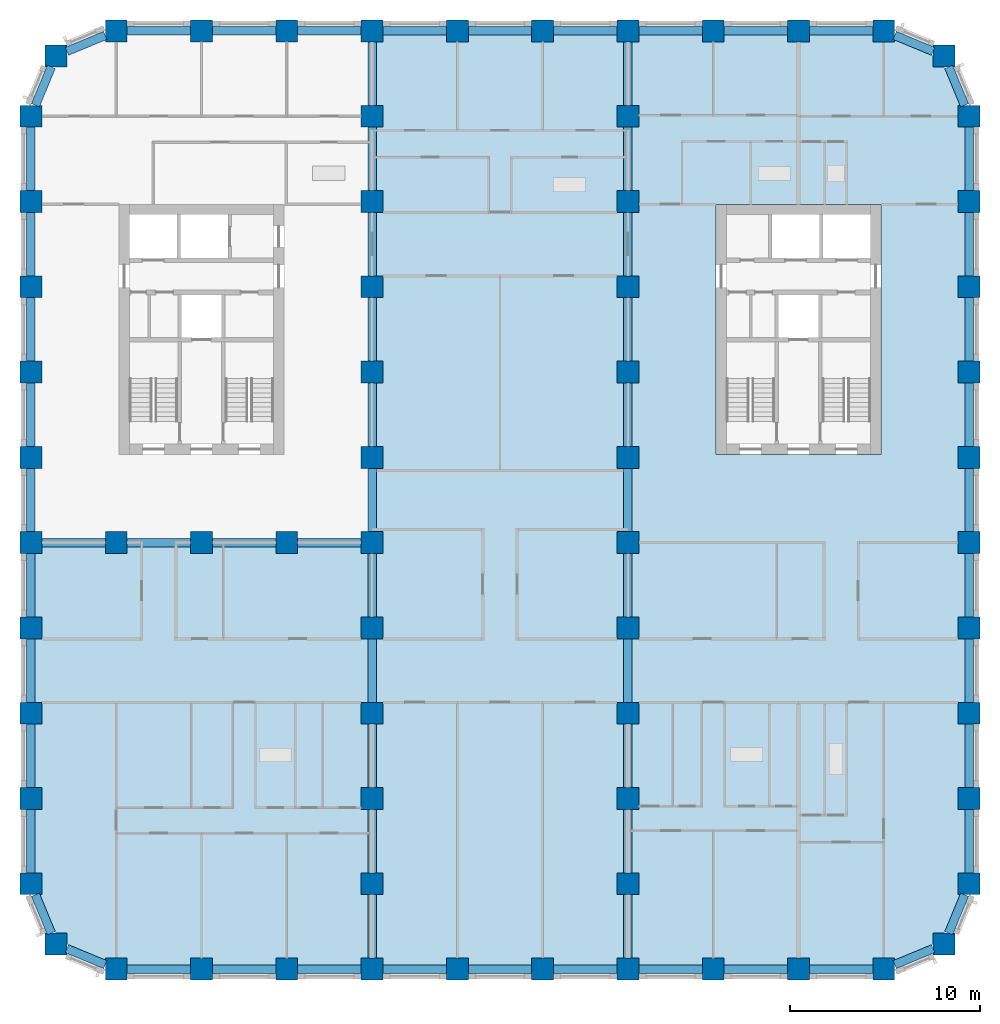
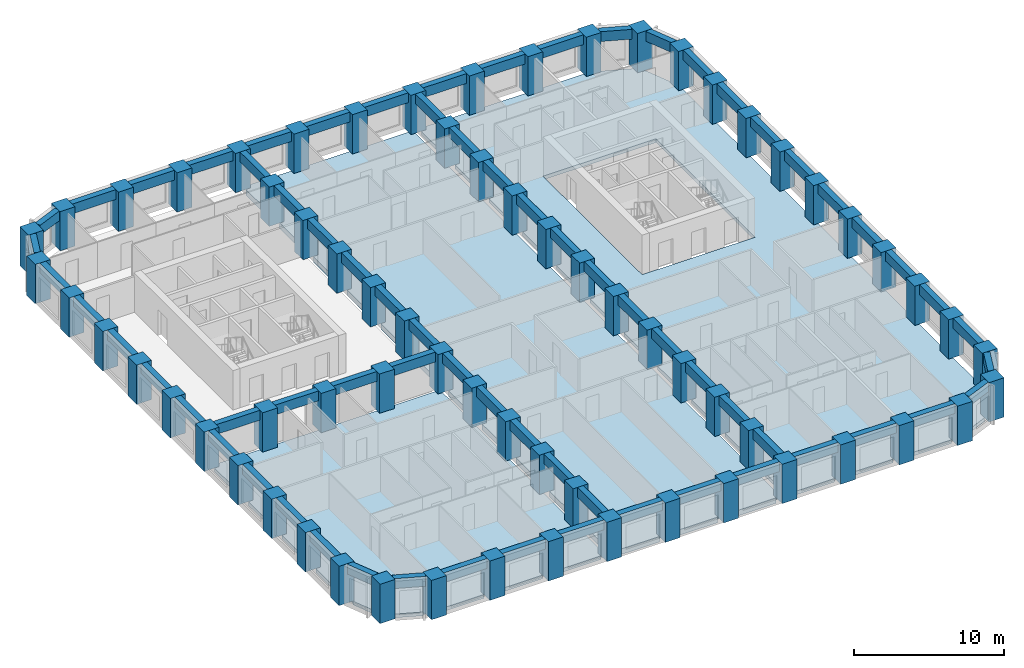
# One storey, part 1 of 13: 70 beams, 67 columns, 3 slabs.
"""IFC4 building model written with IfcOpenShell, lengths in metres."""

from ifc_helpers import new_model, si_unit, direction, frame, origin, origin_2d, place, context, subcontext, project, spatial, polyline, rectangle, outline, extrude, material, layer, layer_set, material_profile, profile_set, type_object, element, save


model = new_model("IFC4")

# Units and contexts
model_context = context("Model", 3, precision=1e-05, world=origin(), true_north=direction((0.0, 1.0)))
body_context = subcontext(model_context, "Body", "Model", "MODEL_VIEW")
ifc_project = project(units=[si_unit("LENGTHUNIT", "METRE"), si_unit("AREAUNIT", "SQUARE_METRE"), si_unit("VOLUMEUNIT", "CUBIC_METRE"), si_unit("PLANEANGLEUNIT", "RADIAN"), si_unit("MASSUNIT", "GRAM", prefix="KILO")], contexts=[model_context])

# Site, building, storey
site_placement = place(None, origin())
site = spatial("IfcSite", under=ifc_project, at=site_placement, CompositionType="ELEMENT")
building_placement = place(site_placement, origin())
building = spatial("IfcBuilding", under=site, at=building_placement, Name="Girih Gate Residences", CompositionType="ELEMENT")
storey_placement = place(building_placement, frame((0.0, 0.0, 86.39990234375)))
storey = spatial("IfcBuildingStorey", under=building, at=storey_placement, Name="L23", CompositionType="ELEMENT", Elevation=86.39990234375)

# Columns
ifc_material_1 = material(Name="Concrete C80/95", Category="concrete")
ifc_material_profile_1 = material_profile(ifc_material_1, rectangle(XDim=1.14990234375, YDim=1.14990234375, at=origin_2d()))
ifc_profile_set_1 = profile_set([ifc_material_profile_1], Name="Concrete C80/95")
column_type = type_object("IfcColumnType", Name="Pier RC 1150x1150 Concrete C80/95", PredefinedType="COLUMN", material=ifc_profile_set_1)
for number, where, z_axis, x_axis, name in (
    (1, (4.5, 0.0, 0.0), (0.0, 0.0, 1.0), (1.0, 0.0, 0.0), "Pier P2A L23"),
    (2, (9.0, 0.0, 0.0), (0.0, 0.0, 1.0), (1.0, 0.0, 0.0), "Pier P3A L23"),
    (3, (13.5, 0.0, 0.0), (0.0, 0.0, 1.0), (1.0, 0.0, 0.0), "Pier P4A L23"),
    (4, (18.0, 0.0, 0.0), (0.0, 0.0, 1.0), (1.0, 0.0, 0.0), "Pier P5A L23"),
    (5, (22.5, 0.0, 0.0), (0.0, 0.0, 1.0), (1.0, 0.0, 0.0), "Pier P6A L23"),
    (6, (27.0, 0.0, 0.0), (0.0, 0.0, 1.0), (1.0, 0.0, 0.0), "Pier P7A L23"),
    (7, (31.5, 0.0, 0.0), (0.0, 0.0, 1.0), (1.0, 0.0, 0.0), "Pier P8A L23"),
    (8, (36.0, 0.0, 0.0), (0.0, 0.0, 1.0), (1.0, 0.0, 0.0), "Pier P9A L23"),
    (9, (40.5, 0.0, 0.0), (0.0, 0.0, 1.0), (1.0, 0.0, 0.0), "Pier P10A L23"),
    (10, (45.0, 0.0, 0.0), (0.0, 0.0, 1.0), (1.0, 0.0, 0.0), "Pier P11A L23"),
    (11, (1.318115234375, 1.318115234375, 0.0), (0.0, 0.0, 1.0), (1.0, 0.0, 0.0), "Pier P1ANE L23"),
    (12, (48.181884765625, 1.318115234375, 0.0), (0.0, 0.0, 1.0), (1.0, 0.0, 0.0), "Pier P12ANW L23"),
    (13, (0.0, 4.5, 0.0), (0.0, 0.0, 1.0), (1.0, 0.0, 0.0), "Pier P1B L23"),
    (14, (18.0, 4.5, 0.0), (0.0, 0.0, 1.0), (1.0, 0.0, 0.0), "Pier P5B L23"),
    (15, (31.5, 4.5, 0.0), (0.0, 0.0, 1.0), (1.0, 0.0, 0.0), "Pier P8B L23"),
    (16, (49.5, 4.5, 0.0), (0.0, 0.0, 1.0), (1.0, 0.0, 0.0), "Pier P12B L23"),
    (17, (0.0, 9.0, 0.0), (0.0, 0.0, 1.0), (1.0, 0.0, 0.0), "Pier P1C L23"),
    (18, (18.0, 9.0, 0.0), (0.0, 0.0, 1.0), (1.0, 0.0, 0.0), "Pier P5C L23"),
    (19, (31.5, 9.0, 0.0), (0.0, 0.0, 1.0), (1.0, 0.0, 0.0), "Pier P8C L23"),
    (20, (49.5, 9.0, 0.0), (0.0, 0.0, 1.0), (1.0, 0.0, 0.0), "Pier P12C L23"),
    (21, (0.0, 13.5, 0.0), (0.0, 0.0, 1.0), (1.0, 0.0, 0.0), "Pier P1D L23"),
    (22, (18.0, 13.5, 0.0), (0.0, 0.0, 1.0), (1.0, 0.0, 0.0), "Pier P5D L23"),
    (23, (31.5, 13.5, 0.0), (0.0, 0.0, 1.0), (1.0, 0.0, 0.0), "Pier P8D L23"),
    (24, (49.5, 13.5, 0.0), (0.0, 0.0, 1.0), (1.0, 0.0, 0.0), "Pier P12D L23"),
    (25, (0.0, 18.0, 0.0), (0.0, 0.0, 1.0), (1.0, 0.0, 0.0), "Pier P1E L23"),
    (26, (18.0, 18.0, 0.0), (0.0, 0.0, 1.0), (1.0, 0.0, 0.0), "Pier P5E L23"),
    (27, (31.5, 18.0, 0.0), (0.0, 0.0, 1.0), (1.0, 0.0, 0.0), "Pier P8E L23"),
    (28, (49.5, 18.0, 0.0), (0.0, 0.0, 1.0), (1.0, 0.0, 0.0), "Pier P12E L23"),
    (29, (0.0, 22.5, 0.0), (0.0, 0.0, 1.0), (1.0, 0.0, 0.0), "Pier P1F L23"),
    (30, (4.5, 22.5, 0.0), (0.0, 0.0, 1.0), (1.0, 0.0, 0.0), "Pier P2F L23"),
    (31, (9.0, 22.5, 0.0), (0.0, 0.0, 1.0), (1.0, 0.0, 0.0), "Pier P3F L23"),
    (32, (13.5, 22.5, 0.0), (0.0, 0.0, 1.0), (1.0, 0.0, 0.0), "Pier P4F L23"),
    (33, (18.0, 22.5, 0.0), (0.0, 0.0, 1.0), (1.0, 0.0, 0.0), "Pier P5F L23"),
    (34, (31.5, 22.5, 0.0), (0.0, 0.0, 1.0), (1.0, 0.0, 0.0), "Pier P8F L23"),
    (35, (49.5, 22.5, 0.0), (0.0, 0.0, 1.0), (1.0, 0.0, 0.0), "Pier P12F L23"),
    (36, (0.0, 27.0, 0.0), (0.0, 0.0, 1.0), (1.0, 0.0, 0.0), "Pier P1G L23"),
    (37, (18.0, 27.0, 0.0), (0.0, 0.0, 1.0), (1.0, 0.0, 0.0), "Pier P5G L23"),
    (38, (31.5, 27.0, 0.0), (0.0, 0.0, 1.0), (1.0, 0.0, 0.0), "Pier P8G L23"),
    (39, (49.5, 27.0, 0.0), (0.0, 0.0, 1.0), (1.0, 0.0, 0.0), "Pier P12G L23"),
    (40, (0.0, 31.5, 0.0), (0.0, 0.0, 1.0), (1.0, 0.0, 0.0), "Pier P1H L23"),
    (41, (18.0, 31.5, 0.0), (0.0, 0.0, 1.0), (1.0, 0.0, 0.0), "Pier P5H L23"),
    (42, (31.5, 31.5, 0.0), (0.0, 0.0, 1.0), (1.0, 0.0, 0.0), "Pier P8H L23"),
    (43, (49.5, 31.5, 0.0), (0.0, 0.0, 1.0), (1.0, 0.0, 0.0), "Pier P12H L23"),
    (44, (0.0, 36.0, 0.0), (0.0, 0.0, 1.0), (1.0, 0.0, 0.0), "Pier P1I L23"),
    (45, (18.0, 36.0, 0.0), (0.0, 0.0, 1.0), (1.0, 0.0, 0.0), "Pier P5I L23"),
    (46, (31.5, 36.0, 0.0), (0.0, 0.0, 1.0), (1.0, 0.0, 0.0), "Pier P8I L23"),
    (47, (49.5, 36.0, 0.0), (0.0, 0.0, 1.0), (1.0, 0.0, 0.0), "Pier P12I L23"),
    (48, (0.0, 40.5, 0.0), (0.0, 0.0, 1.0), (1.0, 0.0, 0.0), "Pier P1J L23"),
    (49, (18.0, 40.5, 0.0), (0.0, 0.0, 1.0), (1.0, 0.0, 0.0), "Pier P5J L23"),
    (50, (31.5, 40.5, 0.0), (0.0, 0.0, 1.0), (1.0, 0.0, 0.0), "Pier P8J L23"),
    (51, (49.5, 40.5, 0.0), (0.0, 0.0, 1.0), (1.0, 0.0, 0.0), "Pier P12J L23"),
    (52, (0.0, 45.0, 0.0), (0.0, 0.0, 1.0), (1.0, 0.0, 0.0), "Pier P1K L23"),
    (53, (18.0, 45.0, 0.0), (0.0, 0.0, 1.0), (1.0, 0.0, 0.0), "Pier P5K L23"),
    (54, (31.5, 45.0, 0.0), (0.0, 0.0, 1.0), (1.0, 0.0, 0.0), "Pier P8K L23"),
    (55, (49.5, 45.0, 0.0), (0.0, 0.0, 1.0), (1.0, 0.0, 0.0), "Pier P12K L23"),
    (56, (1.318115234375, 48.181884765625, 0.0), (0.0, 0.0, 1.0), (1.0, 0.0, 0.0), "Pier P1LSE L23"),
    (57, (48.181884765625, 48.181884765625, 0.0), (0.0, 0.0, 1.0), (1.0, 0.0, 0.0), "Pier P12LSW L23"),
    (58, (4.5, 49.5, 0.0), (0.0, 0.0, 1.0), (1.0, 0.0, 0.0), "Pier P2L L23"),
    (59, (9.0, 49.5, 0.0), (0.0, 0.0, 1.0), (1.0, 0.0, 0.0), "Pier P3L L23"),
    (60, (13.5, 49.5, 0.0), (0.0, 0.0, 1.0), (1.0, 0.0, 0.0), "Pier P4L L23"),
    (61, (18.0, 49.5, 0.0), (0.0, 0.0, 1.0), (1.0, 0.0, 0.0), "Pier P5L L23"),
    (62, (22.5, 49.5, 0.0), (0.0, 0.0, 1.0), (1.0, 0.0, 0.0), "Pier P6L L23"),
    (63, (27.0, 49.5, 0.0), (0.0, 0.0, 1.0), (1.0, 0.0, 0.0), "Pier P7L L23"),
    (64, (31.5, 49.5, 0.0), (0.0, 0.0, 1.0), (1.0, 0.0, 0.0), "Pier P8L L23"),
    (65, (36.0, 49.5, 0.0), (0.0, 0.0, 1.0), (1.0, 0.0, 0.0), "Pier P9L L23"),
    (66, (40.5, 49.5, 0.0), (0.0, 0.0, 1.0), (1.0, 0.0, 0.0), "Pier P10L L23"),
    (67, (45.0, 49.5, 0.0), (0.0, 0.0, 1.0), (1.0, 0.0, 0.0), "Pier P11L L23"),
):
    element("IfcColumn", number, at=place(storey_placement, frame(where, z_axis=z_axis, x_axis=x_axis)), inside=storey, type_object=column_type, Name=name, PredefinedType="COLUMN", context=body_context, shape_type="SweptSolid", body=[
        extrude(rectangle(XDim=1.14990234375, YDim=1.14990234375, at=origin_2d()), origin(), (0.0, 0.0, 1.0), 3.2001953125),
    ])

# Beams
ifc_material_2 = material(Name="Concrete C60/75", Category="concrete")
ifc_material_profile_2 = material_profile(ifc_material_2, rectangle(XDim=0.449951171875, YDim=0.800048828125, at=origin_2d()))
ifc_profile_set_2 = profile_set([ifc_material_profile_2], Name="Concrete C60/75")
beam_type = type_object("IfcBeamType", Name="Spandrel girder RC 450x800 Concrete C60/75", PredefinedType="BEAM", material=ifc_profile_set_2)
for number, where, z_axis, x_axis, name in (
    (68, (0.23828125, 3.925048828125, 2.800048828125), (0.382636106589, -0.92389913407, 0.0), (0.92389913407, 0.382636106589, 0.0), "Spandrel girder SP-P1B-P1ANE L23"),
    (69, (1.89306640625, 1.079833984375, 2.800048828125), (0.92389913407, -0.382636106589, 0.0), (0.382636106589, 0.92389913407, 0.0), "Spandrel girder SP-P1ANE-P2A L23"),
):
    element("IfcBeam", number, at=place(storey_placement, frame(where, z_axis=z_axis, x_axis=x_axis)), inside=storey, type_object=beam_type, Name=name, PredefinedType="BEAM", context=body_context, shape_type="SweptSolid", body=[
        extrude(rectangle(XDim=0.449951171875, YDim=0.800048828125, at=origin_2d()), origin(), (0.0, 0.0, 1.0), 2.199462890625),
    ])
for number, where, z_axis, x_axis, name in (
    (70, (5.074951171875, 0.0, 2.800048828125), (1.0, 0.0, 0.0), (0.0, 1.0, 0.0), "Spandrel girder SP-P2A-P3A L23"),
    (71, (9.574951171875, 0.0, 2.800048828125), (1.0, 0.0, 0.0), (0.0, 1.0, 0.0), "Spandrel girder SP-P3A-P4A L23"),
    (72, (14.074951171875, 0.0, 2.800048828125), (1.0, 0.0, 0.0), (0.0, 1.0, 0.0), "Spandrel girder SP-P4A-P5A L23"),
    (73, (18.574951171875, 0.0, 2.800048828125), (1.0, 0.0, 0.0), (0.0, 1.0, 0.0), "Spandrel girder SP-P5A-P6A L23"),
    (74, (23.074951171875, 0.0, 2.800048828125), (1.0, 0.0, 0.0), (0.0, 1.0, 0.0), "Spandrel girder SP-P6A-P7A L23"),
    (75, (27.574951171875, 0.0, 2.800048828125), (1.0, 0.0, 0.0), (0.0, 1.0, 0.0), "Spandrel girder SP-P7A-P8A L23"),
    (76, (32.074951171875, 0.0, 2.800048828125), (1.0, 0.0, 0.0), (0.0, 1.0, 0.0), "Spandrel girder SP-P8A-P9A L23"),
    (77, (36.574951171875, 0.0, 2.800048828125), (1.0, 0.0, 0.0), (0.0, 1.0, 0.0), "Spandrel girder SP-P9A-P10A L23"),
    (78, (41.074951171875, 0.0, 2.800048828125), (1.0, 0.0, 0.0), (0.0, 1.0, 0.0), "Spandrel girder SP-P10A-P11A L23"),
):
    element("IfcBeam", number, at=place(storey_placement, frame(where, z_axis=z_axis, x_axis=x_axis)), inside=storey, type_object=beam_type, Name=name, PredefinedType="BEAM", context=body_context, shape_type="SweptSolid", body=[
        extrude(rectangle(XDim=0.449951171875, YDim=0.800048828125, at=origin_2d()), origin(), (0.0, 0.0, 1.0), 3.35009765625),
    ])
for number, where, z_axis, x_axis, name in (
    (79, (45.574951171875, 0.23828125, 2.800048828125), (0.92389913407, 0.382636106589, 0.0), (-0.382636106589, 0.92389913407, 0.0), "Spandrel girder SP-P11A-P12ANW L23"),
    (80, (48.420166015625, 1.89306640625, 2.800048828125), (0.382636106589, 0.92389913407, 0.0), (-0.92389913407, 0.382636106589, 0.0), "Spandrel girder SP-P12ANW-P12B L23"),
):
    element("IfcBeam", number, at=place(storey_placement, frame(where, z_axis=z_axis, x_axis=x_axis)), inside=storey, type_object=beam_type, Name=name, PredefinedType="BEAM", context=body_context, shape_type="SweptSolid", body=[
        extrude(rectangle(XDim=0.449951171875, YDim=0.800048828125, at=origin_2d()), origin(), (0.0, 0.0, 1.0), 2.199462890625),
    ])
for number, where, z_axis, x_axis, name in (
    (81, (49.5, 5.074951171875, 2.800048828125), (0.0, 1.0, 0.0), (-1.0, 0.0, 0.0), "Spandrel girder SP-P12B-P12C L23"),
    (82, (49.5, 9.574951171875, 2.800048828125), (0.0, 1.0, 0.0), (-1.0, 0.0, 0.0), "Spandrel girder SP-P12C-P12D L23"),
    (83, (49.5, 14.074951171875, 2.800048828125), (0.0, 1.0, 0.0), (-1.0, 0.0, 0.0), "Spandrel girder SP-P12D-P12E L23"),
    (84, (49.5, 18.574951171875, 2.800048828125), (0.0, 1.0, 0.0), (-1.0, 0.0, 0.0), "Spandrel girder SP-P12E-P12F L23"),
    (85, (49.5, 23.074951171875, 2.800048828125), (0.0, 1.0, 0.0), (-1.0, 0.0, 0.0), "Spandrel girder SP-P12F-P12G L23"),
    (86, (49.5, 27.574951171875, 2.800048828125), (0.0, 1.0, 0.0), (-1.0, 0.0, 0.0), "Spandrel girder SP-P12G-P12H L23"),
    (87, (49.5, 32.074951171875, 2.800048828125), (0.0, 1.0, 0.0), (-1.0, 0.0, 0.0), "Spandrel girder SP-P12H-P12I L23"),
    (88, (49.5, 36.574951171875, 2.800048828125), (0.0, 1.0, 0.0), (-1.0, 0.0, 0.0), "Spandrel girder SP-P12I-P12J L23"),
    (89, (49.5, 41.074951171875, 2.800048828125), (0.0, 1.0, 0.0), (-1.0, 0.0, 0.0), "Spandrel girder SP-P12J-P12K L23"),
):
    element("IfcBeam", number, at=place(storey_placement, frame(where, z_axis=z_axis, x_axis=x_axis)), inside=storey, type_object=beam_type, Name=name, PredefinedType="BEAM", context=body_context, shape_type="SweptSolid", body=[
        extrude(rectangle(XDim=0.449951171875, YDim=0.800048828125, at=origin_2d()), origin(), (0.0, 0.0, 1.0), 3.35009765625),
    ])
for number, where, z_axis, x_axis, name in (
    (90, (49.26171875, 45.574951171875, 2.800048828125), (-0.382636106589, 0.92389913407, 0.0), (-0.92389913407, -0.382636106589, 0.0), "Spandrel girder SP-P12K-P12LSW L23"),
    (91, (47.60693359375, 48.420166015625, 2.800048828125), (-0.92389913407, 0.382636106589, 0.0), (-0.382636106589, -0.92389913407, 0.0), "Spandrel girder SP-P12LSW-P11L L23"),
):
    element("IfcBeam", number, at=place(storey_placement, frame(where, z_axis=z_axis, x_axis=x_axis)), inside=storey, type_object=beam_type, Name=name, PredefinedType="BEAM", context=body_context, shape_type="SweptSolid", body=[
        extrude(rectangle(XDim=0.449951171875, YDim=0.800048828125, at=origin_2d()), origin(), (0.0, 0.0, 1.0), 2.199462890625),
    ])
for number, where, z_axis, x_axis, name in (
    (92, (44.425048828125, 49.5, 2.800048828125), (-1.0, 0.0, 0.0), (0.0, -1.0, 0.0), "Spandrel girder SP-P11L-P10L L23"),
    (93, (39.925048828125, 49.5, 2.800048828125), (-1.0, 0.0, 0.0), (0.0, -1.0, 0.0), "Spandrel girder SP-P10L-P9L L23"),
    (94, (35.425048828125, 49.5, 2.800048828125), (-1.0, 0.0, 0.0), (0.0, -1.0, 0.0), "Spandrel girder SP-P9L-P8L L23"),
    (95, (30.925048828125, 49.5, 2.800048828125), (-1.0, 0.0, 0.0), (0.0, -1.0, 0.0), "Spandrel girder SP-P8L-P7L L23"),
    (96, (26.425048828125, 49.5, 2.800048828125), (-1.0, 0.0, 0.0), (0.0, -1.0, 0.0), "Spandrel girder SP-P7L-P6L L23"),
    (97, (21.925048828125, 49.5, 2.800048828125), (-1.0, 0.0, 0.0), (0.0, -1.0, 0.0), "Spandrel girder SP-P6L-P5L L23"),
    (98, (17.425048828125, 49.5, 2.800048828125), (-1.0, 0.0, 0.0), (0.0, -1.0, 0.0), "Spandrel girder SP-P5L-P4L L23"),
    (99, (12.925048828125, 49.5, 2.800048828125), (-1.0, 0.0, 0.0), (0.0, -1.0, 0.0), "Spandrel girder SP-P4L-P3L L23"),
    (100, (8.425048828125, 49.5, 2.800048828125), (-1.0, 0.0, 0.0), (0.0, -1.0, 0.0), "Spandrel girder SP-P3L-P2L L23"),
):
    element("IfcBeam", number, at=place(storey_placement, frame(where, z_axis=z_axis, x_axis=x_axis)), inside=storey, type_object=beam_type, Name=name, PredefinedType="BEAM", context=body_context, shape_type="SweptSolid", body=[
        extrude(rectangle(XDim=0.449951171875, YDim=0.800048828125, at=origin_2d()), origin(), (0.0, 0.0, 1.0), 3.35009765625),
    ])
for number, where, z_axis, x_axis, name in (
    (101, (3.925048828125, 49.26171875, 2.800048828125), (-0.92389913407, -0.382636106589, 0.0), (0.382636106589, -0.92389913407, 0.0), "Spandrel girder SP-P2L-P1LSE L23"),
    (102, (1.079833984375, 47.60693359375, 2.800048828125), (-0.382636106589, -0.92389913407, 0.0), (0.92389913407, -0.382636106589, 0.0), "Spandrel girder SP-P1LSE-P1K L23"),
):
    element("IfcBeam", number, at=place(storey_placement, frame(where, z_axis=z_axis, x_axis=x_axis)), inside=storey, type_object=beam_type, Name=name, PredefinedType="BEAM", context=body_context, shape_type="SweptSolid", body=[
        extrude(rectangle(XDim=0.449951171875, YDim=0.800048828125, at=origin_2d()), origin(), (0.0, 0.0, 1.0), 2.199462890625),
    ])
for number, where, z_axis, x_axis, name in (
    (103, (0.0, 44.425048828125, 2.800048828125), (0.0, -1.0, 0.0), (1.0, 0.0, 0.0), "Spandrel girder SP-P1K-P1J L23"),
    (104, (0.0, 39.925048828125, 2.800048828125), (0.0, -1.0, 0.0), (1.0, 0.0, 0.0), "Spandrel girder SP-P1J-P1I L23"),
    (105, (0.0, 35.425048828125, 2.800048828125), (0.0, -1.0, 0.0), (1.0, 0.0, 0.0), "Spandrel girder SP-P1I-P1H L23"),
    (106, (0.0, 30.925048828125, 2.800048828125), (0.0, -1.0, 0.0), (1.0, 0.0, 0.0), "Spandrel girder SP-P1H-P1G L23"),
    (107, (0.0, 26.425048828125, 2.800048828125), (0.0, -1.0, 0.0), (1.0, 0.0, 0.0), "Spandrel girder SP-P1G-P1F L23"),
    (108, (0.0, 21.925048828125, 2.800048828125), (0.0, -1.0, 0.0), (1.0, 0.0, 0.0), "Spandrel girder SP-P1F-P1E L23"),
    (109, (0.0, 17.425048828125, 2.800048828125), (0.0, -1.0, 0.0), (1.0, 0.0, 0.0), "Spandrel girder SP-P1E-P1D L23"),
    (110, (0.0, 12.925048828125, 2.800048828125), (0.0, -1.0, 0.0), (1.0, 0.0, 0.0), "Spandrel girder SP-P1D-P1C L23"),
    (111, (0.0, 8.425048828125, 2.800048828125), (0.0, -1.0, 0.0), (1.0, 0.0, 0.0), "Spandrel girder SP-P1C-P1B L23"),
    (112, (18.0, 0.574951171875, 2.800048828125), (0.0, 1.0, 0.0), (-1.0, 0.0, 0.0), "Spandrel girder SP-P5A-P5B L23"),
    (113, (18.0, 5.074951171875, 2.800048828125), (0.0, 1.0, 0.0), (-1.0, 0.0, 0.0), "Spandrel girder SP-P5B-P5C L23"),
    (114, (18.0, 9.574951171875, 2.800048828125), (0.0, 1.0, 0.0), (-1.0, 0.0, 0.0), "Spandrel girder SP-P5C-P5D L23"),
    (115, (18.0, 14.074951171875, 2.800048828125), (0.0, 1.0, 0.0), (-1.0, 0.0, 0.0), "Spandrel girder SP-P5D-P5E L23"),
    (116, (18.0, 18.574951171875, 2.800048828125), (0.0, 1.0, 0.0), (-1.0, 0.0, 0.0), "Spandrel girder SP-P5E-P5F L23"),
    (117, (18.0, 23.074951171875, 2.800048828125), (0.0, 1.0, 0.0), (-1.0, 0.0, 0.0), "Spandrel girder SP-P5F-P5G L23"),
    (118, (18.0, 27.574951171875, 2.800048828125), (0.0, 1.0, 0.0), (-1.0, 0.0, 0.0), "Spandrel girder SP-P5G-P5H L23"),
    (119, (18.0, 32.074951171875, 2.800048828125), (0.0, 1.0, 0.0), (-1.0, 0.0, 0.0), "Spandrel girder SP-P5H-P5I L23"),
    (120, (18.0, 36.574951171875, 2.800048828125), (0.0, 1.0, 0.0), (-1.0, 0.0, 0.0), "Spandrel girder SP-P5I-P5J L23"),
    (121, (18.0, 41.074951171875, 2.800048828125), (0.0, 1.0, 0.0), (-1.0, 0.0, 0.0), "Spandrel girder SP-P5J-P5K L23"),
    (122, (18.0, 45.574951171875, 2.800048828125), (0.0, 1.0, 0.0), (-1.0, 0.0, 0.0), "Spandrel girder SP-P5K-P5L L23"),
    (123, (31.5, 0.574951171875, 2.800048828125), (0.0, 1.0, 0.0), (-1.0, 0.0, 0.0), "Spandrel girder SP-P8A-P8B L23"),
    (124, (31.5, 5.074951171875, 2.800048828125), (0.0, 1.0, 0.0), (-1.0, 0.0, 0.0), "Spandrel girder SP-P8B-P8C L23"),
    (125, (31.5, 9.574951171875, 2.800048828125), (0.0, 1.0, 0.0), (-1.0, 0.0, 0.0), "Spandrel girder SP-P8C-P8D L23"),
    (126, (31.5, 14.074951171875, 2.800048828125), (0.0, 1.0, 0.0), (-1.0, 0.0, 0.0), "Spandrel girder SP-P8D-P8E L23"),
    (127, (31.5, 18.574951171875, 2.800048828125), (0.0, 1.0, 0.0), (-1.0, 0.0, 0.0), "Spandrel girder SP-P8E-P8F L23"),
    (128, (31.5, 23.074951171875, 2.800048828125), (0.0, 1.0, 0.0), (-1.0, 0.0, 0.0), "Spandrel girder SP-P8F-P8G L23"),
    (129, (31.5, 27.574951171875, 2.800048828125), (0.0, 1.0, 0.0), (-1.0, 0.0, 0.0), "Spandrel girder SP-P8G-P8H L23"),
    (130, (31.5, 32.074951171875, 2.800048828125), (0.0, 1.0, 0.0), (-1.0, 0.0, 0.0), "Spandrel girder SP-P8H-P8I L23"),
    (131, (31.5, 36.574951171875, 2.800048828125), (0.0, 1.0, 0.0), (-1.0, 0.0, 0.0), "Spandrel girder SP-P8I-P8J L23"),
    (132, (31.5, 41.074951171875, 2.800048828125), (0.0, 1.0, 0.0), (-1.0, 0.0, 0.0), "Spandrel girder SP-P8J-P8K L23"),
    (133, (31.5, 45.574951171875, 2.800048828125), (0.0, 1.0, 0.0), (-1.0, 0.0, 0.0), "Spandrel girder SP-P8K-P8L L23"),
    (134, (0.574951171875, 22.5, 2.800048828125), (1.0, 0.0, 0.0), (0.0, 1.0, 0.0), "Spandrel girder SP-P1F-P2F L23"),
    (135, (5.074951171875, 22.5, 2.800048828125), (1.0, 0.0, 0.0), (0.0, 1.0, 0.0), "Spandrel girder SP-P2F-P3F L23"),
    (136, (9.574951171875, 22.5, 2.800048828125), (1.0, 0.0, 0.0), (0.0, 1.0, 0.0), "Spandrel girder SP-P3F-P4F L23"),
    (137, (14.074951171875, 22.5, 2.800048828125), (1.0, 0.0, 0.0), (0.0, 1.0, 0.0), "Spandrel girder SP-P4F-P5F L23"),
):
    element("IfcBeam", number, at=place(storey_placement, frame(where, z_axis=z_axis, x_axis=x_axis)), inside=storey, type_object=beam_type, Name=name, PredefinedType="BEAM", context=body_context, shape_type="SweptSolid", body=[
        extrude(rectangle(XDim=0.449951171875, YDim=0.800048828125, at=origin_2d()), origin(), (0.0, 0.0, 1.0), 3.35009765625),
    ])

# Slabs
ifc_material_3 = material(Name="Concrete C40/50", Category="concrete")
ifc_layer_1 = layer(ifc_material_3, 0.300048828125)
ifc_layer_set_1 = layer_set([ifc_layer_1], Name="Floor slab PT 300 Concrete C40/50")
slab_type_1 = type_object("IfcSlabType", Name="Floor slab PT 300 Concrete C40/50", PredefinedType="FLOOR", material=ifc_layer_set_1)
slab_1_placement = place(storey_placement, frame((0.0, 0.0, -0.2998046875)))
element("IfcSlab", 138, at=slab_1_placement, inside=storey, type_object=slab_type_1, Name="Floor slab L23 0", PredefinedType="FLOOR", context=body_context, shape_type="SweptSolid", body=[
    extrude(outline(polyline([(0.22509765625, 8.425048828125), (0.22509765625, 5.074951171875), (0.574951171875, 5.074951171875), (0.574951171875, 3.925048828125), (0.481689453125, 3.925048828125), (1.323486328125, 1.89306640625), (1.89306640625, 1.89306640625), (1.89306640625, 1.323486328125), (3.925048828125, 0.481689453125), (3.925048828125, 0.574951171875), (5.074951171875, 0.574951171875), (5.074951171875, 0.22509765625), (8.425048828125, 0.22509765625), (8.425048828125, 0.574951171875), (9.574951171875, 0.574951171875), (9.574951171875, 0.22509765625), (12.925048828125, 0.22509765625), (12.925048828125, 0.574951171875), (14.074951171875, 0.574951171875), (14.074951171875, 0.22509765625), (17.425048828125, 0.22509765625), (17.425048828125, 0.574951171875), (17.77490234375, 0.574951171875), (17.77490234375, 3.925048828125), (17.425048828125, 3.925048828125), (17.425048828125, 5.074951171875), (17.77490234375, 5.074951171875), (17.77490234375, 8.425048828125), (17.425048828125, 8.425048828125), (17.425048828125, 9.574951171875), (17.77490234375, 9.574951171875), (17.77490234375, 12.925048828125), (17.425048828125, 12.925048828125), (17.425048828125, 14.074951171875), (17.77490234375, 14.074951171875), (17.77490234375, 17.425048828125), (17.425048828125, 17.425048828125), (17.425048828125, 18.574951171875), (17.77490234375, 18.574951171875), (17.77490234375, 21.925048828125), (17.425048828125, 21.925048828125), (17.425048828125, 22.27490234375), (14.074951171875, 22.27490234375), (14.074951171875, 21.925048828125), (12.925048828125, 21.925048828125), (12.925048828125, 22.27490234375), (9.574951171875, 22.27490234375), (9.574951171875, 21.925048828125), (8.425048828125, 21.925048828125), (8.425048828125, 22.27490234375), (5.074951171875, 22.27490234375), (5.074951171875, 21.925048828125), (3.925048828125, 21.925048828125), (3.925048828125, 22.27490234375), (0.574951171875, 22.27490234375), (0.574951171875, 21.925048828125), (0.22509765625, 21.925048828125), (0.22509765625, 18.574951171875), (0.574951171875, 18.574951171875), (0.574951171875, 17.425048828125), (0.22509765625, 17.425048828125), (0.22509765625, 14.074951171875), (0.574951171875, 14.074951171875), (0.574951171875, 12.925048828125), (0.22509765625, 12.925048828125), (0.22509765625, 9.574951171875), (0.574951171875, 9.574951171875), (0.574951171875, 8.425048828125), (0.22509765625, 8.425048828125)])), origin(), (0.0, 0.0, 1.0), 0.2998046875),
])
slab_2_placement = place(storey_placement, frame((0.0, 0.0, -0.2998046875)))
element("IfcSlab", 139, at=slab_2_placement, inside=storey, type_object=slab_type_1, Name="Floor slab L23 1", PredefinedType="FLOOR", context=body_context, shape_type="SweptSolid", body=[
    extrude(outline(polyline([(35.425048828125, 49.27490234375), (32.074951171875, 49.27490234375), (32.074951171875, 48.925048828125), (31.72509765625, 48.925048828125), (31.72509765625, 45.574951171875), (32.074951171875, 45.574951171875), (32.074951171875, 44.425048828125), (31.72509765625, 44.425048828125), (31.72509765625, 41.074951171875), (32.074951171875, 41.074951171875), (32.074951171875, 39.925048828125), (31.72509765625, 39.925048828125), (31.72509765625, 36.574951171875), (32.074951171875, 36.574951171875), (32.074951171875, 35.425048828125), (31.72509765625, 35.425048828125), (31.72509765625, 32.074951171875), (32.074951171875, 32.074951171875), (32.074951171875, 30.925048828125), (31.72509765625, 30.925048828125), (31.72509765625, 27.574951171875), (32.074951171875, 27.574951171875), (32.074951171875, 26.425048828125), (31.72509765625, 26.425048828125), (31.72509765625, 23.074951171875), (32.074951171875, 23.074951171875), (32.074951171875, 21.925048828125), (31.72509765625, 21.925048828125), (31.72509765625, 18.574951171875), (32.074951171875, 18.574951171875), (32.074951171875, 17.425048828125), (31.72509765625, 17.425048828125), (31.72509765625, 14.074951171875), (32.074951171875, 14.074951171875), (32.074951171875, 12.925048828125), (31.72509765625, 12.925048828125), (31.72509765625, 9.574951171875), (32.074951171875, 9.574951171875), (32.074951171875, 8.425048828125), (31.72509765625, 8.425048828125), (31.72509765625, 5.074951171875), (32.074951171875, 5.074951171875), (32.074951171875, 3.925048828125), (31.72509765625, 3.925048828125), (31.72509765625, 0.574951171875), (32.074951171875, 0.574951171875), (32.074951171875, 0.22509765625), (35.425048828125, 0.22509765625), (35.425048828125, 0.574951171875), (36.574951171875, 0.574951171875), (36.574951171875, 0.22509765625), (39.925048828125, 0.22509765625), (39.925048828125, 0.574951171875), (41.074951171875, 0.574951171875), (41.074951171875, 0.22509765625), (44.425048828125, 0.22509765625), (44.425048828125, 0.574951171875), (45.574951171875, 0.574951171875), (45.574951171875, 0.481689453125), (47.60693359375, 1.323486328125), (47.60693359375, 1.89306640625), (48.176513671875, 1.89306640625), (49.018310546875, 3.925048828125), (48.925048828125, 3.925048828125), (48.925048828125, 5.074951171875), (49.27490234375, 5.074951171875), (49.27490234375, 8.425048828125), (48.925048828125, 8.425048828125), (48.925048828125, 9.574951171875), (49.27490234375, 9.574951171875), (49.27490234375, 12.925048828125), (48.925048828125, 12.925048828125), (48.925048828125, 14.074951171875), (49.27490234375, 14.074951171875), (49.27490234375, 17.425048828125), (48.925048828125, 17.425048828125), (48.925048828125, 18.574951171875), (49.27490234375, 18.574951171875), (49.27490234375, 21.925048828125), (48.925048828125, 21.925048828125), (48.925048828125, 23.074951171875), (49.27490234375, 23.074951171875), (49.27490234375, 26.425048828125), (48.925048828125, 26.425048828125), (48.925048828125, 27.574951171875), (49.27490234375, 27.574951171875), (49.27490234375, 30.925048828125), (48.925048828125, 30.925048828125), (48.925048828125, 32.074951171875), (49.27490234375, 32.074951171875), (49.27490234375, 35.425048828125), (48.925048828125, 35.425048828125), (48.925048828125, 36.574951171875), (49.27490234375, 36.574951171875), (49.27490234375, 39.925048828125), (48.925048828125, 39.925048828125), (48.925048828125, 41.074951171875), (49.27490234375, 41.074951171875), (49.27490234375, 44.425048828125), (48.925048828125, 44.425048828125), (48.925048828125, 45.574951171875), (49.018310546875, 45.574951171875), (48.176513671875, 47.60693359375), (47.60693359375, 47.60693359375), (47.60693359375, 48.176513671875), (45.574951171875, 49.018310546875), (45.574951171875, 48.925048828125), (44.425048828125, 48.925048828125), (44.425048828125, 49.27490234375), (41.074951171875, 49.27490234375), (41.074951171875, 48.925048828125), (39.925048828125, 48.925048828125), (39.925048828125, 49.27490234375), (36.574951171875, 49.27490234375), (36.574951171875, 48.925048828125), (35.425048828125, 48.925048828125), (35.425048828125, 49.27490234375)]), holes=[polyline([(44.85009765625, 40.35009765625), (44.85009765625, 27.14990234375), (36.14990234375, 27.14990234375), (36.14990234375, 40.35009765625), (44.85009765625, 40.35009765625)])]), origin(), (0.0, 0.0, 1.0), 0.2998046875),
])
ifc_layer_2 = layer(ifc_material_3, 0.449951171875)
ifc_layer_set_2 = layer_set([ifc_layer_2], Name="Floor slab PT 450 Concrete C40/50")
slab_type_2 = type_object("IfcSlabType", Name="Floor slab PT 450 Concrete C40/50", PredefinedType="FLOOR", material=ifc_layer_set_2)
slab_3_placement = place(storey_placement, frame((0.0, 0.0, -0.449951171875)))
element("IfcSlab", 140, at=slab_3_placement, inside=storey, type_object=slab_type_2, Name="Floor slab L23 2", PredefinedType="FLOOR", context=body_context, shape_type="SweptSolid", body=[
    extrude(outline(polyline([(21.925048828125, 49.27490234375), (18.574951171875, 49.27490234375), (18.574951171875, 48.925048828125), (18.22509765625, 48.925048828125), (18.22509765625, 45.574951171875), (18.574951171875, 45.574951171875), (18.574951171875, 44.425048828125), (18.22509765625, 44.425048828125), (18.22509765625, 41.074951171875), (18.574951171875, 41.074951171875), (18.574951171875, 39.925048828125), (18.22509765625, 39.925048828125), (18.22509765625, 36.574951171875), (18.574951171875, 36.574951171875), (18.574951171875, 35.425048828125), (18.22509765625, 35.425048828125), (18.22509765625, 32.074951171875), (18.574951171875, 32.074951171875), (18.574951171875, 30.925048828125), (18.22509765625, 30.925048828125), (18.22509765625, 27.574951171875), (18.574951171875, 27.574951171875), (18.574951171875, 26.425048828125), (18.22509765625, 26.425048828125), (18.22509765625, 23.074951171875), (18.574951171875, 23.074951171875), (18.574951171875, 21.925048828125), (18.22509765625, 21.925048828125), (18.22509765625, 18.574951171875), (18.574951171875, 18.574951171875), (18.574951171875, 17.425048828125), (18.22509765625, 17.425048828125), (18.22509765625, 14.074951171875), (18.574951171875, 14.074951171875), (18.574951171875, 12.925048828125), (18.22509765625, 12.925048828125), (18.22509765625, 9.574951171875), (18.574951171875, 9.574951171875), (18.574951171875, 8.425048828125), (18.22509765625, 8.425048828125), (18.22509765625, 5.074951171875), (18.574951171875, 5.074951171875), (18.574951171875, 3.925048828125), (18.22509765625, 3.925048828125), (18.22509765625, 0.574951171875), (18.574951171875, 0.574951171875), (18.574951171875, 0.22509765625), (21.925048828125, 0.22509765625), (21.925048828125, 0.574951171875), (23.074951171875, 0.574951171875), (23.074951171875, 0.22509765625), (26.425048828125, 0.22509765625), (26.425048828125, 0.574951171875), (27.574951171875, 0.574951171875), (27.574951171875, 0.22509765625), (30.925048828125, 0.22509765625), (30.925048828125, 0.574951171875), (31.27490234375, 0.574951171875), (31.27490234375, 3.925048828125), (30.925048828125, 3.925048828125), (30.925048828125, 5.074951171875), (31.27490234375, 5.074951171875), (31.27490234375, 8.425048828125), (30.925048828125, 8.425048828125), (30.925048828125, 9.574951171875), (31.27490234375, 9.574951171875), (31.27490234375, 12.925048828125), (30.925048828125, 12.925048828125), (30.925048828125, 14.074951171875), (31.27490234375, 14.074951171875), (31.27490234375, 17.425048828125), (30.925048828125, 17.425048828125), (30.925048828125, 18.574951171875), (31.27490234375, 18.574951171875), (31.27490234375, 21.925048828125), (30.925048828125, 21.925048828125), (30.925048828125, 23.074951171875), (31.27490234375, 23.074951171875), (31.27490234375, 26.425048828125), (30.925048828125, 26.425048828125), (30.925048828125, 27.574951171875), (31.27490234375, 27.574951171875), (31.27490234375, 30.925048828125), (30.925048828125, 30.925048828125), (30.925048828125, 32.074951171875), (31.27490234375, 32.074951171875), (31.27490234375, 35.425048828125), (30.925048828125, 35.425048828125), (30.925048828125, 36.574951171875), (31.27490234375, 36.574951171875), (31.27490234375, 39.925048828125), (30.925048828125, 39.925048828125), (30.925048828125, 41.074951171875), (31.27490234375, 41.074951171875), (31.27490234375, 44.425048828125), (30.925048828125, 44.425048828125), (30.925048828125, 45.574951171875), (31.27490234375, 45.574951171875), (31.27490234375, 48.925048828125), (30.925048828125, 48.925048828125), (30.925048828125, 49.27490234375), (27.574951171875, 49.27490234375), (27.574951171875, 48.925048828125), (26.425048828125, 48.925048828125), (26.425048828125, 49.27490234375), (23.074951171875, 49.27490234375), (23.074951171875, 48.925048828125), (21.925048828125, 48.925048828125), (21.925048828125, 49.27490234375)])), origin(), (0.0, 0.0, 1.0), 0.449951171875),
])

save(model, "model.ifc")
